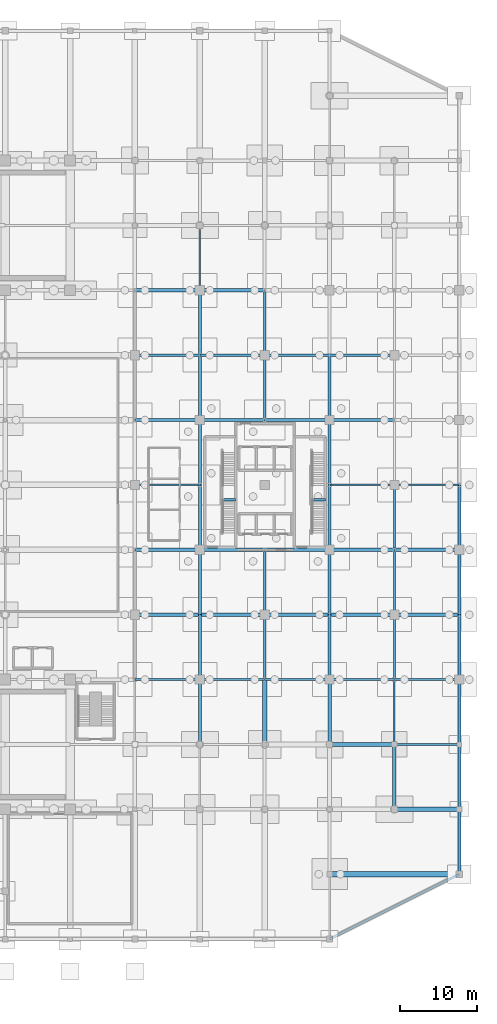
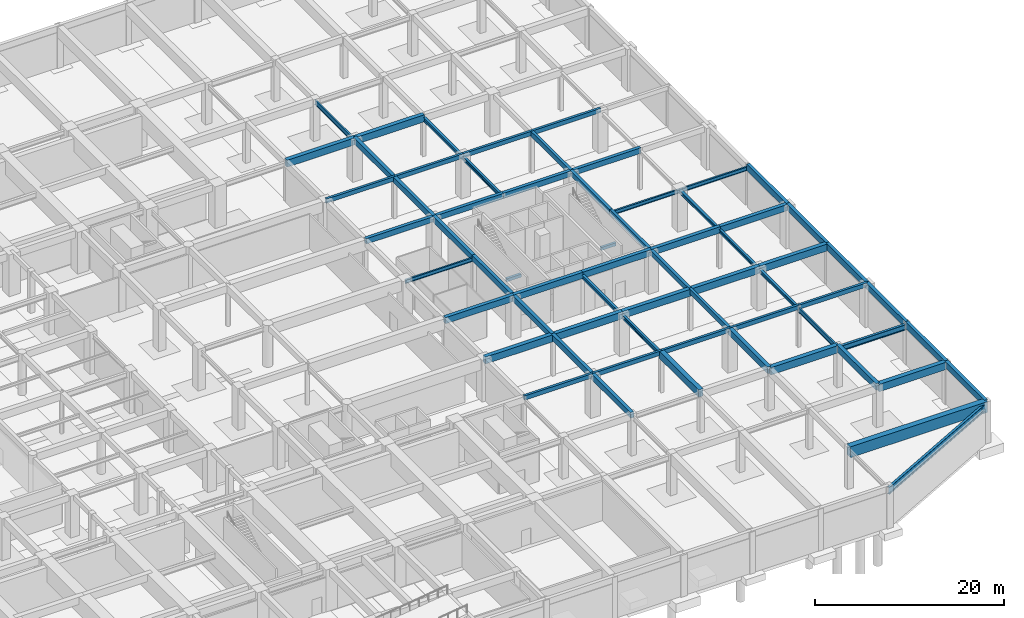
# One storey, part 15 of 26: 65 beams.
"""IFC4 building model written with IfcOpenShell, lengths in metres."""

from ifc_helpers import new_model, si_unit, direction, frame, origin, origin_2d, place, context, subcontext, project, spatial, rectangle, i_section, extrude, material, material_profile, profile_set, type_object, element, save


model = new_model("IFC4")

# Units and contexts
model_context = context("Model", 3, precision=1e-05, world=origin(), true_north=direction((0.0, 1.0)))
body_context = subcontext(model_context, "Body", "Model", "MODEL_VIEW")
ifc_project = project(units=[si_unit("LENGTHUNIT", "METRE"), si_unit("AREAUNIT", "SQUARE_METRE"), si_unit("VOLUMEUNIT", "CUBIC_METRE"), si_unit("PLANEANGLEUNIT", "RADIAN"), si_unit("MASSUNIT", "GRAM", prefix="KILO")], contexts=[model_context])

# Site, building, storey
site_placement = place(None, origin())
site = spatial("IfcSite", under=ifc_project, at=site_placement, CompositionType="ELEMENT")
building_placement = place(site_placement, origin())
building = spatial("IfcBuilding", under=site, at=building_placement, Name="Xuanlan Plaza Opera House", CompositionType="ELEMENT")
storey_placement = place(building_placement, frame((0.0, 0.0, -5.39990234375)))
storey = spatial("IfcBuildingStorey", under=building, at=storey_placement, Name="B01", CompositionType="ELEMENT", Elevation=-5.39990234375)

# Beams
ifc_material_1 = material(Name="Concrete C50", Category="concrete")
ifc_material_profile_1 = material_profile(ifc_material_1, rectangle(XDim=0.550048828125, YDim=0.949951171875, at=origin_2d()), Name="RC-BM 550x950")
ifc_profile_set_1 = profile_set([ifc_material_profile_1], Name="Concrete C50")
beam_type_1 = type_object("IfcBeamType", Name="STR-BM-B-02", PredefinedType="BEAM", material=ifc_profile_set_1)
beam_1_placement = place(storey_placement, frame((159.60009765625, 16.800048828125, 4.9248046875), z_axis=(1.0, 0.0, 0.0), x_axis=(0.0, 1.0, 0.0)))
element("IfcBeam", 1, at=beam_1_placement, inside=storey, type_object=beam_type_1, Name="Grid Beam X B01 20-21/C", PredefinedType="BEAM", context=body_context, shape_type="SweptSolid", body=[
    extrude(rectangle(XDim=0.550048828125, YDim=0.949951171875, at=origin_2d()), origin(), (0.0, 0.0, 1.0), 8.39990234375),
])
for number, where, z_axis, x_axis, name in (
    (2, (151.199951171875, 25.199951171875, 4.9248046875), (1.0, 0.0, 0.0), (0.0, 1.0, 0.0), "Grid Beam X B01 19-20/D"),
    (3, (142.800048828125, 25.199951171875, 4.9248046875), (0.0, 1.0, 0.0), (-1.0, 0.0, 0.0), "Grid Beam Y B01 18/D-E"),
):
    element("IfcBeam", number, at=place(storey_placement, frame(where, z_axis=z_axis, x_axis=x_axis)), inside=storey, type_object=beam_type_1, Name=name, PredefinedType="BEAM", context=body_context, shape_type="SweptSolid", body=[
        extrude(rectangle(XDim=0.550048828125, YDim=0.949951171875, at=origin_2d()), origin(), (0.0, 0.0, 1.0), 8.400146484375),
    ])
ifc_material_2 = material(Name="Concrete C40", Category="concrete")
ifc_material_profile_2 = material_profile(ifc_material_2, rectangle(XDim=0.5, YDim=0.89990234375, at=origin_2d()), Name="RC-BM 500x900")
ifc_profile_set_2 = profile_set([ifc_material_profile_2], Name="Concrete C40")
beam_type_2 = type_object("IfcBeamType", Name="STR-BM-B-03", PredefinedType="BEAM", material=ifc_profile_set_2)
beam_2_placement = place(storey_placement, frame((126.0, 42.0, 4.949951171875), z_axis=(1.0, 0.0, 0.0), x_axis=(0.0, 1.0, 0.0)))
element("IfcBeam", 4, at=beam_2_placement, inside=storey, type_object=beam_type_2, Name="Grid Beam X B01 16-17/F", PredefinedType="BEAM", context=body_context, shape_type="SweptSolid", body=[
    extrude(rectangle(XDim=0.5, YDim=0.89990234375, at=origin_2d()), origin(), (0.0, 0.0, 1.0), 8.39990234375),
])
beam_3_placement = place(storey_placement, frame((134.39990234375, 42.0, 4.949951171875), z_axis=(1.0, 0.0, 0.0), x_axis=(0.0, 1.0, 0.0)))
element("IfcBeam", 5, at=beam_3_placement, inside=storey, type_object=beam_type_2, Name="Grid Beam X B01 17-18/F", PredefinedType="BEAM", context=body_context, shape_type="SweptSolid", body=[
    extrude(rectangle(XDim=0.5, YDim=0.89990234375, at=origin_2d()), origin(), (0.0, 0.0, 1.0), 8.400146484375),
])
beam_4_placement = place(storey_placement, frame((142.800048828125, 42.0, 4.949951171875), z_axis=(1.0, 0.0, 0.0), x_axis=(0.0, 1.0, 0.0)))
element("IfcBeam", 6, at=beam_4_placement, inside=storey, type_object=beam_type_2, Name="Grid Beam X B01 18-19/F", PredefinedType="BEAM", context=body_context, shape_type="SweptSolid", body=[
    extrude(rectangle(XDim=0.5, YDim=0.89990234375, at=origin_2d()), origin(), (0.0, 0.0, 1.0), 8.39990234375),
])
beam_5_placement = place(storey_placement, frame((151.199951171875, 42.0, 4.949951171875), z_axis=(1.0, 0.0, 0.0), x_axis=(0.0, 1.0, 0.0)))
element("IfcBeam", 7, at=beam_5_placement, inside=storey, type_object=beam_type_2, Name="Grid Beam X B01 19-20/F", PredefinedType="BEAM", context=body_context, shape_type="SweptSolid", body=[
    extrude(rectangle(XDim=0.5, YDim=0.89990234375, at=origin_2d()), origin(), (0.0, 0.0, 1.0), 8.400146484375),
])
for number, where, z_axis, x_axis, name in (
    (8, (159.60009765625, 42.0, 4.949951171875), (1.0, 0.0, 0.0), (0.0, 1.0, 0.0), "Grid Beam X B01 20-21/F"),
    (9, (126.0, 84.0, 4.949951171875), (1.0, 0.0, 0.0), (0.0, 1.0, 0.0), "Grid Beam X B01 16-17/K"),
):
    element("IfcBeam", number, at=place(storey_placement, frame(where, z_axis=z_axis, x_axis=x_axis)), inside=storey, type_object=beam_type_2, Name=name, PredefinedType="BEAM", context=body_context, shape_type="SweptSolid", body=[
        extrude(rectangle(XDim=0.5, YDim=0.89990234375, at=origin_2d()), origin(), (0.0, 0.0, 1.0), 8.39990234375),
    ])
beam_6_placement = place(storey_placement, frame((134.39990234375, 84.0, 4.949951171875), z_axis=(1.0, 0.0, 0.0), x_axis=(0.0, 1.0, 0.0)))
element("IfcBeam", 10, at=beam_6_placement, inside=storey, type_object=beam_type_2, Name="Grid Beam X B01 17-18/K", PredefinedType="BEAM", context=body_context, shape_type="SweptSolid", body=[
    extrude(rectangle(XDim=0.5, YDim=0.89990234375, at=origin_2d()), origin(), (0.0, 0.0, 1.0), 8.400146484375),
])
ifc_material_profile_3 = material_profile(ifc_material_2, rectangle(XDim=0.449951171875, YDim=0.85009765625, at=origin_2d()), Name="RC-BM 450x850")
ifc_profile_set_3 = profile_set([ifc_material_profile_3], Name="Concrete C40")
beam_type_3 = type_object("IfcBeamType", Name="STR-BM-B-04", PredefinedType="BEAM", material=ifc_profile_set_3)
beam_7_placement = place(storey_placement, frame((151.199951171875, 25.199951171875, 4.974853515625), z_axis=(0.0, 1.0, 0.0), x_axis=(-1.0, 0.0, 0.0)))
element("IfcBeam", 11, at=beam_7_placement, inside=storey, type_object=beam_type_3, Name="Grid Beam Y B01 19/D-E", PredefinedType="BEAM", context=body_context, shape_type="SweptSolid", body=[
    extrude(rectangle(XDim=0.449951171875, YDim=0.85009765625, at=origin_2d()), origin(), (0.0, 0.0, 1.0), 8.400146484375),
])
beam_8_placement = place(storey_placement, frame((159.60009765625, 16.800048828125, 4.974853515625), z_axis=(0.0, 1.0, 0.0), x_axis=(-1.0, 0.0, 0.0)))
element("IfcBeam", 12, at=beam_8_placement, inside=storey, type_object=beam_type_3, Name="Grid Beam Y B01 20/C-D", PredefinedType="BEAM", context=body_context, shape_type="SweptSolid", body=[
    extrude(rectangle(XDim=0.449951171875, YDim=0.85009765625, at=origin_2d()), origin(), (0.0, 0.0, 1.0), 8.39990234375),
])
ifc_material_profile_4 = material_profile(ifc_material_2, rectangle(XDim=0.449951171875, YDim=0.800048828125, at=origin_2d()), Name="RC-BM 450x800")
ifc_profile_set_4 = profile_set([ifc_material_profile_4], Name="Concrete C40")
beam_type_4 = type_object("IfcBeamType", Name="STR-BM-B-05", PredefinedType="BEAM", material=ifc_profile_set_4)
beam_9_placement = place(storey_placement, frame((126.0, 50.39990234375, 5.0), z_axis=(1.0, 0.0, 0.0), x_axis=(0.0, 1.0, 0.0)))
element("IfcBeam", 13, at=beam_9_placement, inside=storey, type_object=beam_type_4, Name="Grid Beam X B01 16-17/G", PredefinedType="BEAM", context=body_context, shape_type="SweptSolid", body=[
    extrude(rectangle(XDim=0.449951171875, YDim=0.800048828125, at=origin_2d()), origin(), (0.0, 0.0, 1.0), 8.39990234375),
])
beam_10_placement = place(storey_placement, frame((134.39990234375, 50.39990234375, 5.0), z_axis=(1.0, 0.0, 0.0), x_axis=(0.0, 1.0, 0.0)))
element("IfcBeam", 14, at=beam_10_placement, inside=storey, type_object=beam_type_4, Name="Grid Beam X B01 17-18/G", PredefinedType="BEAM", context=body_context, shape_type="SweptSolid", body=[
    extrude(rectangle(XDim=0.449951171875, YDim=0.800048828125, at=origin_2d()), origin(), (0.0, 0.0, 1.0), 8.400146484375),
])
beam_11_placement = place(storey_placement, frame((142.800048828125, 50.39990234375, 5.0), z_axis=(1.0, 0.0, 0.0), x_axis=(0.0, 1.0, 0.0)))
element("IfcBeam", 15, at=beam_11_placement, inside=storey, type_object=beam_type_4, Name="Grid Beam X B01 18-19/G", PredefinedType="BEAM", context=body_context, shape_type="SweptSolid", body=[
    extrude(rectangle(XDim=0.449951171875, YDim=0.800048828125, at=origin_2d()), origin(), (0.0, 0.0, 1.0), 8.39990234375),
])
beam_12_placement = place(storey_placement, frame((151.199951171875, 50.39990234375, 5.0), z_axis=(1.0, 0.0, 0.0), x_axis=(0.0, 1.0, 0.0)))
element("IfcBeam", 16, at=beam_12_placement, inside=storey, type_object=beam_type_4, Name="Grid Beam X B01 19-20/G", PredefinedType="BEAM", context=body_context, shape_type="SweptSolid", body=[
    extrude(rectangle(XDim=0.449951171875, YDim=0.800048828125, at=origin_2d()), origin(), (0.0, 0.0, 1.0), 8.400146484375),
])
beam_13_placement = place(storey_placement, frame((159.60009765625, 50.39990234375, 5.0), z_axis=(1.0, 0.0, 0.0), x_axis=(0.0, 1.0, 0.0)))
element("IfcBeam", 17, at=beam_13_placement, inside=storey, type_object=beam_type_4, Name="Grid Beam X B01 20-21/G", PredefinedType="BEAM", context=body_context, shape_type="SweptSolid", body=[
    extrude(rectangle(XDim=0.449951171875, YDim=0.800048828125, at=origin_2d()), origin(), (0.0, 0.0, 1.0), 8.39990234375),
])
ifc_material_profile_5 = material_profile(ifc_material_2, rectangle(XDim=0.39990234375, YDim=0.75, at=origin_2d()), Name="RC-BM 400x750")
ifc_profile_set_5 = profile_set([ifc_material_profile_5], Name="Concrete C40")
beam_type_5 = type_object("IfcBeamType", Name="STR-BM-B-06", PredefinedType="BEAM", material=ifc_profile_set_5)
beam_14_placement = place(storey_placement, frame((134.39990234375, 25.199951171875, 5.02490234375), z_axis=(0.0, 1.0, 0.0), x_axis=(-1.0, 0.0, 0.0)))
element("IfcBeam", 18, at=beam_14_placement, inside=storey, type_object=beam_type_5, Name="Grid Beam Y B01 17/D-E", PredefinedType="BEAM", context=body_context, shape_type="SweptSolid", body=[
    extrude(rectangle(XDim=0.39990234375, YDim=0.75, at=origin_2d()), origin(), (0.0, 0.0, 1.0), 8.400146484375),
])
for number, where, z_axis, x_axis, name in (
    (19, (134.39990234375, 33.60009765625, 5.02490234375), (0.0, 1.0, 0.0), (-1.0, 0.0, 0.0), "Grid Beam Y B01 17/E-F"),
    (20, (134.39990234375, 42.0, 5.02490234375), (0.0, 1.0, 0.0), (-1.0, 0.0, 0.0), "Grid Beam Y B01 17/F-G"),
):
    element("IfcBeam", number, at=place(storey_placement, frame(where, z_axis=z_axis, x_axis=x_axis)), inside=storey, type_object=beam_type_5, Name=name, PredefinedType="BEAM", context=body_context, shape_type="SweptSolid", body=[
        extrude(rectangle(XDim=0.39990234375, YDim=0.75, at=origin_2d()), origin(), (0.0, 0.0, 1.0), 8.39990234375),
    ])
beam_15_placement = place(storey_placement, frame((134.39990234375, 50.39990234375, 5.02490234375), z_axis=(0.0, 1.0, 0.0), x_axis=(-1.0, 0.0, 0.0)))
element("IfcBeam", 21, at=beam_15_placement, inside=storey, type_object=beam_type_5, Name="Grid Beam Y B01 17/G-H", PredefinedType="BEAM", context=body_context, shape_type="SweptSolid", body=[
    extrude(rectangle(XDim=0.39990234375, YDim=0.75, at=origin_2d()), origin(), (0.0, 0.0, 1.0), 8.400146484375),
])
beam_16_placement = place(storey_placement, frame((134.39990234375, 58.800048828125, 5.02490234375), z_axis=(0.0, 1.0, 0.0), x_axis=(-1.0, 0.0, 0.0)))
element("IfcBeam", 22, at=beam_16_placement, inside=storey, type_object=beam_type_5, Name="Grid Beam Y B01 17/H-I", PredefinedType="BEAM", context=body_context, shape_type="SweptSolid", body=[
    extrude(rectangle(XDim=0.39990234375, YDim=0.75, at=origin_2d()), origin(), (0.0, 0.0, 1.0), 8.39990234375),
])
beam_17_placement = place(storey_placement, frame((134.39990234375, 67.199951171875, 5.02490234375), z_axis=(0.0, 1.0, 0.0), x_axis=(-1.0, 0.0, 0.0)))
element("IfcBeam", 23, at=beam_17_placement, inside=storey, type_object=beam_type_5, Name="Grid Beam Y B01 17/I-J", PredefinedType="BEAM", context=body_context, shape_type="SweptSolid", body=[
    extrude(rectangle(XDim=0.39990234375, YDim=0.75, at=origin_2d()), origin(), (0.0, 0.0, 1.0), 8.400146484375),
])
beam_18_placement = place(storey_placement, frame((134.39990234375, 75.60009765625, 5.02490234375), z_axis=(0.0, 1.0, 0.0), x_axis=(-1.0, 0.0, 0.0)))
element("IfcBeam", 24, at=beam_18_placement, inside=storey, type_object=beam_type_5, Name="Grid Beam Y B01 17/J-K", PredefinedType="BEAM", context=body_context, shape_type="SweptSolid", body=[
    extrude(rectangle(XDim=0.39990234375, YDim=0.75, at=origin_2d()), origin(), (0.0, 0.0, 1.0), 8.39990234375),
])
ifc_material_profile_6 = material_profile(ifc_material_2, rectangle(XDim=0.39990234375, YDim=0.699951171875, at=origin_2d()), Name="RC-BM 400x700")
ifc_profile_set_6 = profile_set([ifc_material_profile_6], Name="Concrete C40")
beam_type_6 = type_object("IfcBeamType", Name="STR-BM-B-07", PredefinedType="BEAM", material=ifc_profile_set_6)
beam_19_placement = place(storey_placement, frame((126.0, 67.199951171875, 5.0498046875), z_axis=(1.0, 0.0, 0.0), x_axis=(0.0, 1.0, 0.0)))
element("IfcBeam", 25, at=beam_19_placement, inside=storey, type_object=beam_type_6, Name="Grid Beam X B01 16-17/I", PredefinedType="BEAM", context=body_context, shape_type="SweptSolid", body=[
    extrude(rectangle(XDim=0.39990234375, YDim=0.699951171875, at=origin_2d()), origin(), (0.0, 0.0, 1.0), 8.39990234375),
])
beam_20_placement = place(storey_placement, frame((134.39990234375, 67.199951171875, 5.0498046875), z_axis=(1.0, 0.0, 0.0), x_axis=(0.0, 1.0, 0.0)))
element("IfcBeam", 26, at=beam_20_placement, inside=storey, type_object=beam_type_6, Name="Grid Beam X B01 17-18/I", PredefinedType="BEAM", context=body_context, shape_type="SweptSolid", body=[
    extrude(rectangle(XDim=0.39990234375, YDim=0.699951171875, at=origin_2d()), origin(), (0.0, 0.0, 1.0), 8.400146484375),
])
beam_21_placement = place(storey_placement, frame((142.800048828125, 67.199951171875, 5.0498046875), z_axis=(1.0, 0.0, 0.0), x_axis=(0.0, 1.0, 0.0)))
element("IfcBeam", 27, at=beam_21_placement, inside=storey, type_object=beam_type_6, Name="Grid Beam X B01 18-19/I", PredefinedType="BEAM", context=body_context, shape_type="SweptSolid", body=[
    extrude(rectangle(XDim=0.39990234375, YDim=0.699951171875, at=origin_2d()), origin(), (0.0, 0.0, 1.0), 8.39990234375),
])
beam_22_placement = place(storey_placement, frame((151.199951171875, 67.199951171875, 5.0498046875), z_axis=(1.0, 0.0, 0.0), x_axis=(0.0, 1.0, 0.0)))
element("IfcBeam", 28, at=beam_22_placement, inside=storey, type_object=beam_type_6, Name="Grid Beam X B01 19-20/I", PredefinedType="BEAM", context=body_context, shape_type="SweptSolid", body=[
    extrude(rectangle(XDim=0.39990234375, YDim=0.699951171875, at=origin_2d()), origin(), (0.0, 0.0, 1.0), 8.400146484375),
])
ifc_material_profile_7 = material_profile(ifc_material_2, rectangle(XDim=0.35009765625, YDim=0.64990234375, at=origin_2d()), Name="RC-BM 350x650")
ifc_profile_set_7 = profile_set([ifc_material_profile_7], Name="Concrete C40")
beam_type_7 = type_object("IfcBeamType", Name="STR-BM-B-08", PredefinedType="BEAM", material=ifc_profile_set_7)
for number, where, z_axis, x_axis, name in (
    (29, (151.199951171875, 33.60009765625, 5.074951171875), (0.0, 1.0, 0.0), (-1.0, 0.0, 0.0), "Grid Beam Y B01 19/E-F"),
    (30, (151.199951171875, 42.0, 5.074951171875), (0.0, 1.0, 0.0), (-1.0, 0.0, 0.0), "Grid Beam Y B01 19/F-G"),
):
    element("IfcBeam", number, at=place(storey_placement, frame(where, z_axis=z_axis, x_axis=x_axis)), inside=storey, type_object=beam_type_7, Name=name, PredefinedType="BEAM", context=body_context, shape_type="SweptSolid", body=[
        extrude(rectangle(XDim=0.35009765625, YDim=0.64990234375, at=origin_2d()), origin(), (0.0, 0.0, 1.0), 8.39990234375),
    ])
beam_23_placement = place(storey_placement, frame((151.199951171875, 50.39990234375, 5.074951171875), z_axis=(0.0, 1.0, 0.0), x_axis=(-1.0, 0.0, 0.0)))
element("IfcBeam", 31, at=beam_23_placement, inside=storey, type_object=beam_type_7, Name="Grid Beam Y B01 19/G-H", PredefinedType="BEAM", context=body_context, shape_type="SweptSolid", body=[
    extrude(rectangle(XDim=0.35009765625, YDim=0.64990234375, at=origin_2d()), origin(), (0.0, 0.0, 1.0), 8.400146484375),
])
beam_24_placement = place(storey_placement, frame((151.199951171875, 58.800048828125, 5.074951171875), z_axis=(0.0, 1.0, 0.0), x_axis=(-1.0, 0.0, 0.0)))
element("IfcBeam", 32, at=beam_24_placement, inside=storey, type_object=beam_type_7, Name="Grid Beam Y B01 19/H-I", PredefinedType="BEAM", context=body_context, shape_type="SweptSolid", body=[
    extrude(rectangle(XDim=0.35009765625, YDim=0.64990234375, at=origin_2d()), origin(), (0.0, 0.0, 1.0), 8.39990234375),
])
beam_25_placement = place(storey_placement, frame((151.199951171875, 67.199951171875, 5.074951171875), z_axis=(0.0, 1.0, 0.0), x_axis=(-1.0, 0.0, 0.0)))
element("IfcBeam", 33, at=beam_25_placement, inside=storey, type_object=beam_type_7, Name="Grid Beam Y B01 19/I-J", PredefinedType="BEAM", context=body_context, shape_type="SweptSolid", body=[
    extrude(rectangle(XDim=0.35009765625, YDim=0.64990234375, at=origin_2d()), origin(), (0.0, 0.0, 1.0), 8.400146484375),
])
ifc_material_profile_8 = material_profile(ifc_material_2, rectangle(XDim=0.300048828125, YDim=0.550048828125, at=origin_2d()), Name="RC-BM 300x550")
ifc_profile_set_8 = profile_set([ifc_material_profile_8], Name="Concrete C40")
beam_type_8 = type_object("IfcBeamType", Name="STR-BM-B-09", PredefinedType="BEAM", material=ifc_profile_set_8)
beam_26_placement = place(storey_placement, frame((126.0, 33.60009765625, 5.125), z_axis=(1.0, 0.0, 0.0), x_axis=(0.0, 1.0, 0.0)))
element("IfcBeam", 34, at=beam_26_placement, inside=storey, type_object=beam_type_8, Name="Grid Beam X B01 16-17/E", PredefinedType="BEAM", context=body_context, shape_type="SweptSolid", body=[
    extrude(rectangle(XDim=0.300048828125, YDim=0.550048828125, at=origin_2d()), origin(), (0.0, 0.0, 1.0), 8.39990234375),
])
beam_27_placement = place(storey_placement, frame((134.39990234375, 33.60009765625, 5.125), z_axis=(1.0, 0.0, 0.0), x_axis=(0.0, 1.0, 0.0)))
element("IfcBeam", 35, at=beam_27_placement, inside=storey, type_object=beam_type_8, Name="Grid Beam X B01 17-18/E", PredefinedType="BEAM", context=body_context, shape_type="SweptSolid", body=[
    extrude(rectangle(XDim=0.300048828125, YDim=0.550048828125, at=origin_2d()), origin(), (0.0, 0.0, 1.0), 8.400146484375),
])
beam_28_placement = place(storey_placement, frame((142.800048828125, 33.60009765625, 5.125), z_axis=(1.0, 0.0, 0.0), x_axis=(0.0, 1.0, 0.0)))
element("IfcBeam", 36, at=beam_28_placement, inside=storey, type_object=beam_type_8, Name="Grid Beam X B01 18-19/E", PredefinedType="BEAM", context=body_context, shape_type="SweptSolid", body=[
    extrude(rectangle(XDim=0.300048828125, YDim=0.550048828125, at=origin_2d()), origin(), (0.0, 0.0, 1.0), 8.39990234375),
])
beam_29_placement = place(storey_placement, frame((151.199951171875, 33.60009765625, 5.125), z_axis=(1.0, 0.0, 0.0), x_axis=(0.0, 1.0, 0.0)))
element("IfcBeam", 37, at=beam_29_placement, inside=storey, type_object=beam_type_8, Name="Grid Beam X B01 19-20/E", PredefinedType="BEAM", context=body_context, shape_type="SweptSolid", body=[
    extrude(rectangle(XDim=0.300048828125, YDim=0.550048828125, at=origin_2d()), origin(), (0.0, 0.0, 1.0), 8.400146484375),
])
for number, where, z_axis, x_axis, name in (
    (38, (159.60009765625, 33.60009765625, 5.125), (1.0, 0.0, 0.0), (0.0, 1.0, 0.0), "Grid Beam X B01 20-21/E"),
    (39, (126.0, 75.60009765625, 5.125), (1.0, 0.0, 0.0), (0.0, 1.0, 0.0), "Grid Beam X B01 16-17/J"),
):
    element("IfcBeam", number, at=place(storey_placement, frame(where, z_axis=z_axis, x_axis=x_axis)), inside=storey, type_object=beam_type_8, Name=name, PredefinedType="BEAM", context=body_context, shape_type="SweptSolid", body=[
        extrude(rectangle(XDim=0.300048828125, YDim=0.550048828125, at=origin_2d()), origin(), (0.0, 0.0, 1.0), 8.39990234375),
    ])
beam_30_placement = place(storey_placement, frame((134.39990234375, 75.60009765625, 5.125), z_axis=(1.0, 0.0, 0.0), x_axis=(0.0, 1.0, 0.0)))
element("IfcBeam", 40, at=beam_30_placement, inside=storey, type_object=beam_type_8, Name="Grid Beam X B01 17-18/J", PredefinedType="BEAM", context=body_context, shape_type="SweptSolid", body=[
    extrude(rectangle(XDim=0.300048828125, YDim=0.550048828125, at=origin_2d()), origin(), (0.0, 0.0, 1.0), 8.400146484375),
])
beam_31_placement = place(storey_placement, frame((142.800048828125, 75.60009765625, 5.125), z_axis=(1.0, 0.0, 0.0), x_axis=(0.0, 1.0, 0.0)))
element("IfcBeam", 41, at=beam_31_placement, inside=storey, type_object=beam_type_8, Name="Grid Beam X B01 18-19/J", PredefinedType="BEAM", context=body_context, shape_type="SweptSolid", body=[
    extrude(rectangle(XDim=0.300048828125, YDim=0.550048828125, at=origin_2d()), origin(), (0.0, 0.0, 1.0), 8.39990234375),
])
beam_32_placement = place(storey_placement, frame((151.199951171875, 75.60009765625, 5.125), z_axis=(1.0, 0.0, 0.0), x_axis=(0.0, 1.0, 0.0)))
element("IfcBeam", 42, at=beam_32_placement, inside=storey, type_object=beam_type_8, Name="Grid Beam X B01 19-20/J", PredefinedType="BEAM", context=body_context, shape_type="SweptSolid", body=[
    extrude(rectangle(XDim=0.300048828125, YDim=0.550048828125, at=origin_2d()), origin(), (0.0, 0.0, 1.0), 8.400146484375),
])
ifc_material_profile_9 = material_profile(ifc_material_1, rectangle(XDim=0.699951171875, YDim=1.39990234375, at=origin_2d()), Name="RC-LG 700x1400")
ifc_profile_set_9 = profile_set([ifc_material_profile_9], Name="Concrete C50")
beam_type_9 = type_object("IfcBeamType", Name="STR-BM-LG-01", PredefinedType="BEAM", material=ifc_profile_set_9)
beam_33_placement = place(storey_placement, frame((151.199951171875, 8.39990234375, 4.699951171875), z_axis=(1.0, 0.0, 0.0), x_axis=(0.0, 1.0, 0.0)))
element("IfcBeam", 43, at=beam_33_placement, inside=storey, type_object=beam_type_9, Name="Grid Beam X B01 19-21/B", PredefinedType="BEAM", context=body_context, shape_type="SweptSolid", body=[
    extrude(rectangle(XDim=0.699951171875, YDim=1.39990234375, at=origin_2d()), origin(), (0.0, 0.0, 1.0), 16.800048828125),
])
ifc_material_profile_10 = material_profile(ifc_material_2, rectangle(XDim=0.300048828125, YDim=0.39990234375, at=origin_2d()), Name="RC-LNT 300x400")
ifc_profile_set_10 = profile_set([ifc_material_profile_10], Name="Concrete C40")
beam_type_10 = type_object("IfcBeamType", Name="STR-BM-LN-01", PredefinedType="LINTEL", material=ifc_profile_set_10)
beam_34_placement = place(storey_placement, frame((137.25, 56.875, 2.2998046875), z_axis=(1.0, 0.0, 0.0), x_axis=(0.0, 1.0, 0.0)))
element("IfcBeam", 44, at=beam_34_placement, inside=storey, type_object=beam_type_10, Name="Stair Mid-Landing Trimmer Beam ST-T1 B01", PredefinedType="LINTEL", context=body_context, shape_type="SweptSolid", body=[
    extrude(rectangle(XDim=0.300048828125, YDim=0.39990234375, at=origin_2d()), origin(), (0.0, 0.0, 1.0), 1.800048828125),
])
beam_35_placement = place(storey_placement, frame((148.85009765625, 56.875, 2.2998046875), z_axis=(1.0, 0.0, 0.0), x_axis=(0.0, 1.0, 0.0)))
element("IfcBeam", 45, at=beam_35_placement, inside=storey, type_object=beam_type_10, Name="Stair Mid-Landing Trimmer Beam ST-T2 B01", PredefinedType="LINTEL", context=body_context, shape_type="SweptSolid", body=[
    extrude(rectangle(XDim=0.300048828125, YDim=0.39990234375, at=origin_2d()), origin(), (0.0, 0.0, 1.0), 1.7998046875),
])
ifc_material_3 = material(Name="Steel Q355B", Category="steel")
ifc_material_profile_11 = material_profile(ifc_material_3, i_section(OverallWidth=0.300048828125, OverallDepth=0.699951171875, WebThickness=0.012939453125, FlangeThickness=0.02392578125, FilletRadius=0.02392578125, at=origin_2d()), Name="HN 700x300x13x24")
ifc_profile_set_11 = profile_set([ifc_material_profile_11], Name="Steel Q355B")
beam_type_11 = type_object("IfcBeamType", Name="STR-BM-SB-03", PredefinedType="BEAM", material=ifc_profile_set_11)
beam_36_placement = place(storey_placement, frame((159.60009765625, 25.199951171875, 4.744873046875), z_axis=(1.0, 0.0, 0.0), x_axis=(0.0, 1.0, 0.0)))
element("IfcBeam", 46, at=beam_36_placement, inside=storey, type_object=beam_type_11, Name="Grid Beam X B01 20-21/D", PredefinedType="BEAM", context=body_context, shape_type="SweptSolid", body=[
    extrude(i_section(OverallWidth=0.300048828125, OverallDepth=0.699951171875, WebThickness=0.012939453125, FlangeThickness=0.02392578125, FilletRadius=0.02392578125, at=origin_2d()), origin(), (0.0, 0.0, 1.0), 8.39990234375),
])
ifc_material_profile_12 = material_profile(ifc_material_3, i_section(OverallWidth=0.199951171875, OverallDepth=0.60009765625, WebThickness=0.010986328125, FlangeThickness=0.01708984375, FilletRadius=0.02197265625, at=origin_2d()), Name="HN 600x200x11x17")
ifc_profile_set_12 = profile_set([ifc_material_profile_12], Name="Steel Q355B")
beam_type_12 = type_object("IfcBeamType", Name="STR-BM-SB-04", PredefinedType="BEAM", material=ifc_profile_set_12)
beam_37_placement = place(storey_placement, frame((134.39990234375, 84.0, 4.794921875), z_axis=(0.0, 1.0, 0.0), x_axis=(-1.0, 0.0, 0.0)))
element("IfcBeam", 47, at=beam_37_placement, inside=storey, type_object=beam_type_12, Name="Grid Beam Y B01 17/K-L", PredefinedType="BEAM", context=body_context, shape_type="SweptSolid", body=[
    extrude(i_section(OverallWidth=0.199951171875, OverallDepth=0.60009765625, WebThickness=0.010986328125, FlangeThickness=0.01708984375, FilletRadius=0.02197265625, at=origin_2d()), origin(), (0.0, 0.0, 1.0), 8.39990234375),
])
beam_38_placement = place(storey_placement, frame((159.60009765625, 25.199951171875, 4.794921875), z_axis=(0.0, 1.0, 0.0), x_axis=(-1.0, 0.0, 0.0)))
element("IfcBeam", 48, at=beam_38_placement, inside=storey, type_object=beam_type_12, Name="Grid Beam Y B01 20/D-E", PredefinedType="BEAM", context=body_context, shape_type="SweptSolid", body=[
    extrude(i_section(OverallWidth=0.199951171875, OverallDepth=0.60009765625, WebThickness=0.010986328125, FlangeThickness=0.01708984375, FilletRadius=0.02197265625, at=origin_2d()), origin(), (0.0, 0.0, 1.0), 8.400146484375),
])
ifc_material_profile_13 = material_profile(ifc_material_3, i_section(OverallWidth=0.199951171875, OverallDepth=0.5, WebThickness=0.010009765625, FlangeThickness=0.01611328125, FilletRadius=0.02001953125, at=origin_2d()), Name="HN 500x200x10x16")
ifc_profile_set_13 = profile_set([ifc_material_profile_13], Name="Steel Q355B")
beam_type_13 = type_object("IfcBeamType", Name="STR-BM-SB-05", PredefinedType="BEAM", material=ifc_profile_set_13)
beam_39_placement = place(storey_placement, frame((126.0, 58.800048828125, 4.844970703125), z_axis=(1.0, 0.0, 0.0), x_axis=(0.0, 1.0, 0.0)))
element("IfcBeam", 49, at=beam_39_placement, inside=storey, type_object=beam_type_13, Name="Grid Beam X B01 16-17/H", PredefinedType="BEAM", context=body_context, shape_type="SweptSolid", body=[
    extrude(i_section(OverallWidth=0.199951171875, OverallDepth=0.5, WebThickness=0.010009765625, FlangeThickness=0.01611328125, FilletRadius=0.02001953125, at=origin_2d()), origin(), (0.0, 0.0, 1.0), 8.39990234375),
])
beam_40_placement = place(storey_placement, frame((151.199951171875, 58.800048828125, 4.844970703125), z_axis=(1.0, 0.0, 0.0), x_axis=(0.0, 1.0, 0.0)))
element("IfcBeam", 50, at=beam_40_placement, inside=storey, type_object=beam_type_13, Name="Grid Beam X B01 19-20/H", PredefinedType="BEAM", context=body_context, shape_type="SweptSolid", body=[
    extrude(i_section(OverallWidth=0.199951171875, OverallDepth=0.5, WebThickness=0.010009765625, FlangeThickness=0.01611328125, FilletRadius=0.02001953125, at=origin_2d()), origin(), (0.0, 0.0, 1.0), 8.400146484375),
])
beam_41_placement = place(storey_placement, frame((159.60009765625, 58.800048828125, 4.844970703125), z_axis=(1.0, 0.0, 0.0), x_axis=(0.0, 1.0, 0.0)))
element("IfcBeam", 51, at=beam_41_placement, inside=storey, type_object=beam_type_13, Name="Grid Beam X B01 20-21/H", PredefinedType="BEAM", context=body_context, shape_type="SweptSolid", body=[
    extrude(i_section(OverallWidth=0.199951171875, OverallDepth=0.5, WebThickness=0.010009765625, FlangeThickness=0.01611328125, FilletRadius=0.02001953125, at=origin_2d()), origin(), (0.0, 0.0, 1.0), 8.39990234375),
])
ifc_material_profile_14 = material_profile(ifc_material_3, i_section(OverallWidth=0.300048828125, OverallDepth=0.488037109375, WebThickness=0.010986328125, FlangeThickness=0.01806640625, FilletRadius=0.02197265625, at=origin_2d()), Name="HM 488x300x11x18")
ifc_profile_set_14 = profile_set([ifc_material_profile_14], Name="Steel Q355B")
beam_type_14 = type_object("IfcBeamType", Name="STR-BM-SB-07", PredefinedType="BEAM", material=ifc_profile_set_14)
for number, where, z_axis, x_axis, name in (
    (52, (142.800048828125, 33.60009765625, 4.850830078125), (0.0, 1.0, 0.0), (-1.0, 0.0, 0.0), "Grid Beam Y B01 18/E-F"),
    (53, (142.800048828125, 42.0, 4.850830078125), (0.0, 1.0, 0.0), (-1.0, 0.0, 0.0), "Grid Beam Y B01 18/F-G"),
):
    element("IfcBeam", number, at=place(storey_placement, frame(where, z_axis=z_axis, x_axis=x_axis)), inside=storey, type_object=beam_type_14, Name=name, PredefinedType="BEAM", context=body_context, shape_type="SweptSolid", body=[
        extrude(i_section(OverallWidth=0.300048828125, OverallDepth=0.488037109375, WebThickness=0.010986328125, FlangeThickness=0.01806640625, FilletRadius=0.02197265625, at=origin_2d()), origin(), (0.0, 0.0, 1.0), 8.39990234375),
    ])
beam_42_placement = place(storey_placement, frame((142.800048828125, 67.199951171875, 4.850830078125), z_axis=(0.0, 1.0, 0.0), x_axis=(-1.0, 0.0, 0.0)))
element("IfcBeam", 54, at=beam_42_placement, inside=storey, type_object=beam_type_14, Name="Grid Beam Y B01 18/I-J", PredefinedType="BEAM", context=body_context, shape_type="SweptSolid", body=[
    extrude(i_section(OverallWidth=0.300048828125, OverallDepth=0.488037109375, WebThickness=0.010986328125, FlangeThickness=0.01806640625, FilletRadius=0.02197265625, at=origin_2d()), origin(), (0.0, 0.0, 1.0), 8.400146484375),
])
beam_43_placement = place(storey_placement, frame((142.800048828125, 75.60009765625, 4.850830078125), z_axis=(0.0, 1.0, 0.0), x_axis=(-1.0, 0.0, 0.0)))
element("IfcBeam", 55, at=beam_43_placement, inside=storey, type_object=beam_type_14, Name="Grid Beam Y B01 18/J-K", PredefinedType="BEAM", context=body_context, shape_type="SweptSolid", body=[
    extrude(i_section(OverallWidth=0.300048828125, OverallDepth=0.488037109375, WebThickness=0.010986328125, FlangeThickness=0.01806640625, FilletRadius=0.02197265625, at=origin_2d()), origin(), (0.0, 0.0, 1.0), 8.39990234375),
])
ifc_material_profile_15 = material_profile(ifc_material_3, i_section(OverallWidth=0.300048828125, OverallDepth=0.43994140625, WebThickness=0.010986328125, FlangeThickness=0.01806640625, FilletRadius=0.02001953125, at=origin_2d()), Name="HM 440x300x11x18")
ifc_profile_set_15 = profile_set([ifc_material_profile_15], Name="Steel Q355B")
beam_type_15 = type_object("IfcBeamType", Name="STR-BM-SB-08", PredefinedType="BEAM", material=ifc_profile_set_15)
for number, where, z_axis, x_axis, name in (
    (56, (159.60009765625, 33.60009765625, 4.875), (0.0, 1.0, 0.0), (-1.0, 0.0, 0.0), "Grid Beam Y B01 20/E-F"),
    (57, (159.60009765625, 42.0, 4.875), (0.0, 1.0, 0.0), (-1.0, 0.0, 0.0), "Grid Beam Y B01 20/F-G"),
):
    element("IfcBeam", number, at=place(storey_placement, frame(where, z_axis=z_axis, x_axis=x_axis)), inside=storey, type_object=beam_type_15, Name=name, PredefinedType="BEAM", context=body_context, shape_type="SweptSolid", body=[
        extrude(i_section(OverallWidth=0.300048828125, OverallDepth=0.43994140625, WebThickness=0.010986328125, FlangeThickness=0.01806640625, FilletRadius=0.02001953125, at=origin_2d()), origin(), (0.0, 0.0, 1.0), 8.39990234375),
    ])
beam_44_placement = place(storey_placement, frame((159.60009765625, 50.39990234375, 4.875), z_axis=(0.0, 1.0, 0.0), x_axis=(-1.0, 0.0, 0.0)))
element("IfcBeam", 58, at=beam_44_placement, inside=storey, type_object=beam_type_15, Name="Grid Beam Y B01 20/G-H", PredefinedType="BEAM", context=body_context, shape_type="SweptSolid", body=[
    extrude(i_section(OverallWidth=0.300048828125, OverallDepth=0.43994140625, WebThickness=0.010986328125, FlangeThickness=0.01806640625, FilletRadius=0.02001953125, at=origin_2d()), origin(), (0.0, 0.0, 1.0), 8.400146484375),
])
ifc_material_profile_16 = material_profile(ifc_material_2, rectangle(XDim=0.39990234375, YDim=0.800048828125, at=origin_2d()), Name="RC-SPD 400x800")
ifc_profile_set_16 = profile_set([ifc_material_profile_16], Name="Concrete C40")
beam_type_16 = type_object("IfcBeamType", Name="STR-BM-SP-01", PredefinedType="SPANDREL", material=ifc_profile_set_16)
beam_45_placement = place(storey_placement, frame((168.0, 8.39990234375, 5.0), z_axis=(0.0, 1.0, 0.0), x_axis=(-1.0, 0.0, 0.0)))
element("IfcBeam", 59, at=beam_45_placement, inside=storey, type_object=beam_type_16, Name="Grid Beam Y B01 21/B-C", PredefinedType="SPANDREL", context=body_context, shape_type="SweptSolid", body=[
    extrude(rectangle(XDim=0.39990234375, YDim=0.800048828125, at=origin_2d()), origin(), (0.0, 0.0, 1.0), 8.400146484375),
])
beam_46_placement = place(storey_placement, frame((168.0, 16.800048828125, 5.0), z_axis=(0.0, 1.0, 0.0), x_axis=(-1.0, 0.0, 0.0)))
element("IfcBeam", 60, at=beam_46_placement, inside=storey, type_object=beam_type_16, Name="Grid Beam Y B01 21/C-D", PredefinedType="SPANDREL", context=body_context, shape_type="SweptSolid", body=[
    extrude(rectangle(XDim=0.39990234375, YDim=0.800048828125, at=origin_2d()), origin(), (0.0, 0.0, 1.0), 8.39990234375),
])
beam_47_placement = place(storey_placement, frame((168.0, 25.199951171875, 5.0), z_axis=(0.0, 1.0, 0.0), x_axis=(-1.0, 0.0, 0.0)))
element("IfcBeam", 61, at=beam_47_placement, inside=storey, type_object=beam_type_16, Name="Grid Beam Y B01 21/D-E", PredefinedType="SPANDREL", context=body_context, shape_type="SweptSolid", body=[
    extrude(rectangle(XDim=0.39990234375, YDim=0.800048828125, at=origin_2d()), origin(), (0.0, 0.0, 1.0), 8.400146484375),
])
for number, where, z_axis, x_axis, name in (
    (62, (168.0, 33.60009765625, 5.0), (0.0, 1.0, 0.0), (-1.0, 0.0, 0.0), "Grid Beam Y B01 21/E-F"),
    (63, (168.0, 42.0, 5.0), (0.0, 1.0, 0.0), (-1.0, 0.0, 0.0), "Grid Beam Y B01 21/F-G"),
):
    element("IfcBeam", number, at=place(storey_placement, frame(where, z_axis=z_axis, x_axis=x_axis)), inside=storey, type_object=beam_type_16, Name=name, PredefinedType="SPANDREL", context=body_context, shape_type="SweptSolid", body=[
        extrude(rectangle(XDim=0.39990234375, YDim=0.800048828125, at=origin_2d()), origin(), (0.0, 0.0, 1.0), 8.39990234375),
    ])
beam_48_placement = place(storey_placement, frame((168.0, 50.39990234375, 5.0), z_axis=(0.0, 1.0, 0.0), x_axis=(-1.0, 0.0, 0.0)))
element("IfcBeam", 64, at=beam_48_placement, inside=storey, type_object=beam_type_16, Name="Grid Beam Y B01 21/G-H", PredefinedType="SPANDREL", context=body_context, shape_type="SweptSolid", body=[
    extrude(rectangle(XDim=0.39990234375, YDim=0.800048828125, at=origin_2d()), origin(), (0.0, 0.0, 1.0), 8.400146484375),
])
ifc_material_4 = material(Name="Steel Q390B", Category="steel")
ifc_material_profile_17 = material_profile(ifc_material_4, i_section(OverallWidth=0.300048828125, OverallDepth=0.89990234375, WebThickness=0.01611328125, FlangeThickness=0.028076171875, FilletRadius=0.028076171875, at=origin_2d()), Name="HN 900x300x16x28")
ifc_profile_set_17 = profile_set([ifc_material_profile_17], Name="Steel Q390B")
beam_type_17 = type_object("IfcBeamType", Name="STR-BM-SP-04", PredefinedType="SPANDREL", material=ifc_profile_set_17)
beam_49_placement = place(storey_placement, frame((168.0, 8.39990234375, 4.64501953125), z_axis=(-0.89442979058, -0.447208396302, 0.0), x_axis=(0.447208396302, -0.89442979058, 0.0)))
element("IfcBeam", 65, at=beam_49_placement, inside=storey, type_object=beam_type_17, Name="Faceted Edge Spandrel B01 CH17", PredefinedType="SPANDREL", context=body_context, shape_type="SweptSolid", body=[
    extrude(i_section(OverallWidth=0.300048828125, OverallDepth=0.89990234375, WebThickness=0.01611328125, FlangeThickness=0.028076171875, FilletRadius=0.028076171875, at=origin_2d()), origin(), (0.0, 0.0, 1.0), 18.782958984375),
])

save(model, "model.ifc")
